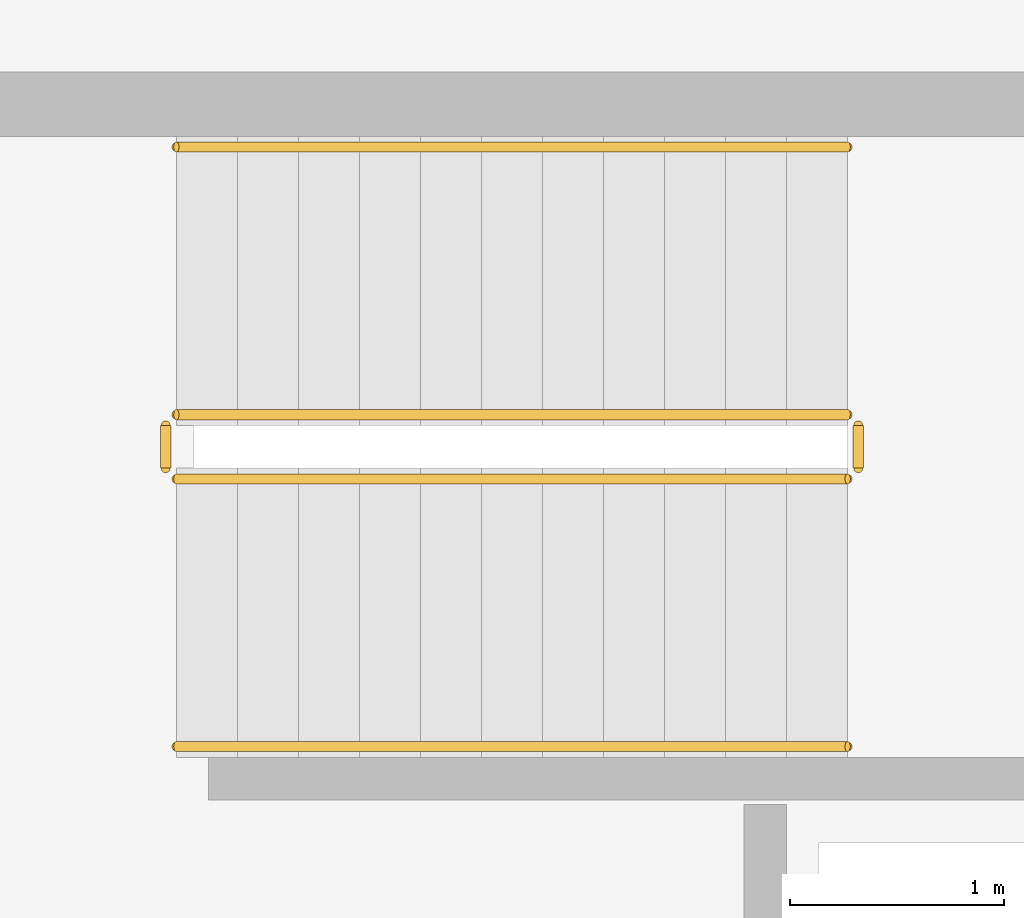
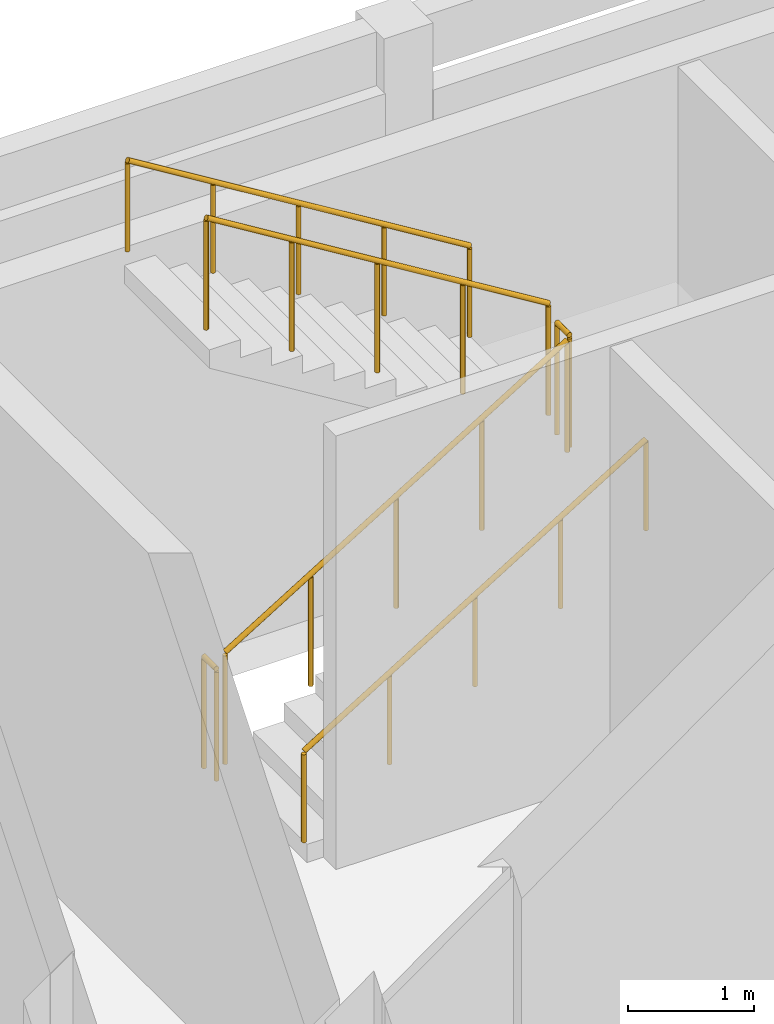
# One storey, part 66 of 68: 6 railings.
"""IFC4 building model written with IfcOpenShell, lengths in metres."""

import ifcopenshell
import ifcopenshell.guid

model = None  # the IFC model being written
_history = None  # IfcOwnerHistory: only IFC2X3 demands one
_inside = {}  # id of a spatial element -> (the spatial element, [elements in it])
_under = {}  # id of a project, library or spatial element -> (it, [spatial elements below it])
_declared = {}  # id of a project -> (the project, [libraries it declares])
_typed = {}  # id of a type object -> (the type object, [elements of that type])
_made_of = {}  # id of a material, layer set ... -> (it, [elements and type objects made of it])


def new_model(schema):
    """Start an empty IFC model of exactly this schema.

    Asked for "IFC4X3", IfcOpenShell would pick the latest addendum, in which some entities
    have other attributes; the version numbers below select the first issue.
    IFC2X3 requires an IfcOwnerHistory on every rooted entity: one is made here for all.
    """
    global model, _history
    if schema == "IFC4X3":
        model = ifcopenshell.file(schema_version=(4, 3, 0, 0))
    else:
        model = ifcopenshell.file(schema=schema)
    _inside.clear()
    _under.clear()
    _declared.clear()
    _typed.clear()
    _made_of.clear()
    _history = None
    if model.schema == "IFC2X3":
        org = make("IfcOrganization", Name="unknown")
        user = make(
            "IfcPersonAndOrganization",
            ThePerson=make("IfcPerson", FamilyName="unknown"),
            TheOrganization=org,
        )
        app = make(
            "IfcApplication",
            ApplicationDeveloper=org,
            Version="unknown",
            ApplicationFullName="unknown",
            ApplicationIdentifier="unknown",
        )
        _history = make(
            "IfcOwnerHistory",
            OwningUser=user,
            OwningApplication=app,
            ChangeAction="ADDED",
            CreationDate=0,
        )
    return model


def make(cls, **values):
    """One entity of the class cls with the attributes given. An attribute that is None is left unset."""
    return model.create_entity(
        cls, **{name: value for name, value in values.items() if value is not None}
    )


def rooted(cls, **values):
    """An entity with a GlobalId (a new one), such as an element, a storey or a relation."""
    return make(cls, GlobalId=ifcopenshell.guid.new(), OwnerHistory=_history, **values)


def si_unit(unit_type, name, prefix=None):
    """IfcSIUnit, for example si_unit("LENGTHUNIT", "METRE", prefix="MILLI")."""
    return make("IfcSIUnit", UnitType=unit_type, Prefix=prefix, Name=name)


def assignment(units):
    """IfcUnitAssignment: the units of a project."""
    return None if units is None else make("IfcUnitAssignment", Units=units)


def point(xyz):
    """IfcCartesianPoint."""
    return None if xyz is None else make("IfcCartesianPoint", Coordinates=xyz)


def direction(xyz):
    """IfcDirection."""
    return None if xyz is None else make("IfcDirection", DirectionRatios=xyz)


def frame(location, z_axis=None, x_axis=None):
    """IfcAxis2Placement3D, a coordinate frame: its origin and axes. An axis left out is left unset."""
    return make(
        "IfcAxis2Placement3D",
        Location=point(location),
        Axis=direction(z_axis),
        RefDirection=direction(x_axis),
    )


def frame_2d(location, x_axis=None):
    """IfcAxis2Placement2D, a coordinate frame in the plane: its origin and x axis."""
    return make(
        "IfcAxis2Placement2D", Location=point(location), RefDirection=direction(x_axis)
    )


def origin():
    """The frame at (0, 0, 0) with its axes left unset."""
    return frame((0.0, 0.0, 0.0))


def origin_2d():
    """The frame at (0, 0) in the plane with its x axis left unset."""
    return frame_2d((0.0, 0.0))


def place(relative_to, where):
    """IfcLocalPlacement: puts the frame where relative to a parent placement (None: the world)."""
    return make(
        "IfcLocalPlacement", PlacementRelTo=relative_to, RelativePlacement=where
    )


def context(
    kind, dimensions, precision=None, world=None, true_north=None, identifier=None
):
    """IfcGeometricRepresentationContext, for example the 3D "Model" context."""
    return make(
        "IfcGeometricRepresentationContext",
        ContextIdentifier=identifier,
        ContextType=kind,
        CoordinateSpaceDimension=dimensions,
        Precision=precision,
        WorldCoordinateSystem=world,
        TrueNorth=true_north,
    )


def subcontext(parent, identifier, kind, view, scale=None):
    """IfcGeometricRepresentationSubContext, for example "Body" below "Model"."""
    return make(
        "IfcGeometricRepresentationSubContext",
        ContextIdentifier=identifier,
        ContextType=kind,
        ParentContext=parent,
        TargetScale=scale,
        TargetView=view,
    )


def project(units=None, contexts=None):
    """IfcProject with its units and contexts."""
    return rooted(
        "IfcProject",
        Name="project",
        RepresentationContexts=contexts,
        UnitsInContext=assignment(units),
    )


def spatial(cls, under=None, at=None, **own):
    """A site, building, storey or space (cls), placed at a placement, below another one or the project."""
    s = rooted(cls, ObjectPlacement=at, **own)
    if under is not None:
        _under.setdefault(under.id(), (under, []))[1].append(s)
    return s


def profile(cls, at=None, kind="AREA", **sizes):
    """A parametric profile (cls). Its sizes go by their IFC names, for example OverallWidth=200.0."""
    return make(cls, ProfileType=kind, Position=at, **sizes)


def circle(**sizes):
    """IfcCircleProfileDef."""
    return profile("IfcCircleProfileDef", **sizes)


def extrude(swept, where, along, depth):
    """IfcExtrudedAreaSolid: the profile swept, set in the frame where, extruded along a direction by depth."""
    return make(
        "IfcExtrudedAreaSolid",
        SweptArea=swept,
        Position=where,
        ExtrudedDirection=direction(along),
        Depth=depth,
    )


def shape(context_of_items, identifier, shape_type, items):
    """IfcShapeRepresentation: the items that make up one representation, for example the "Body"."""
    return make(
        "IfcShapeRepresentation",
        ContextOfItems=context_of_items,
        RepresentationIdentifier=identifier,
        RepresentationType=shape_type,
        Items=items,
    )


def material(Name=None, Category=None):
    """IfcMaterial."""
    return make("IfcMaterial", Name=Name, Category=Category)


def made_of(thing, what):
    """Note that an element or type object is made of a material, layer set ...; save() writes the relation."""
    if what is not None:
        _made_of.setdefault(what.id(), (what, []))[1].append(thing)
    return thing


def type_object(cls, material=None, **own):
    """A type object (cls), such as IfcWallType, which elements share."""
    return made_of(rooted(cls, **own), material)


def element(
    cls,
    number,
    at=None,
    inside=None,
    cuts=None,
    type_object=None,
    material=None,
    context=None,
    identifier="Body",
    shape_type=None,
    held_by="IfcProductDefinitionShape",
    body=None,
    shapes=None,
    **own,
):
    """One element of the class cls, such as IfcWall. Its Tag is "e" and its number.

    at: its placement. inside: the storey or other place that contains it. cuts: it is an
    opening in that element (IfcRelVoidsElement). A single representation is given by context,
    identifier, shape_type and body (its items); several are given by shapes. held_by: the class
    of the entity that holds the representations. save() writes the other relations.
    """
    e = rooted(cls, Tag="e%d" % number, ObjectPlacement=at, **own)
    if body is not None:
        shapes = [shape(context, identifier, shape_type, body)]
    if shapes is not None:
        e.Representation = make(held_by, Representations=shapes)
    if inside is not None:
        _inside.setdefault(inside.id(), (inside, []))[1].append(e)
    if cuts is not None:
        rooted(
            "IfcRelVoidsElement", RelatingBuildingElement=cuts, RelatedOpeningElement=e
        )
    if type_object is not None:
        _typed.setdefault(type_object.id(), (type_object, []))[1].append(e)
    return made_of(e, material)


def aggregate(whole, parts):
    """IfcRelAggregates: a whole, such as a stair, and the parts it consists of."""
    return rooted("IfcRelAggregates", RelatingObject=whole, RelatedObjects=parts)


def save(model, path):
    """Write the relations noted so far, then the file.

    IfcRelAggregates (storeys below a building ...), IfcRelContainedInSpatialStructure (elements
    in a storey), IfcRelDefinesByType, IfcRelAssociatesMaterial and IfcRelDeclares: one each for
    every whole, place, type object, material and project.
    """
    for whole, parts in _under.values():
        aggregate(whole, parts)
    for where, things in _inside.values():
        rooted(
            "IfcRelContainedInSpatialStructure",
            RelatedElements=things,
            RelatingStructure=where,
        )
    for kind, things in _typed.values():
        rooted("IfcRelDefinesByType", RelatedObjects=things, RelatingType=kind)
    for what, things in _made_of.values():
        rooted("IfcRelAssociatesMaterial", RelatedObjects=things, RelatingMaterial=what)
    for by, libraries in _declared.values():
        rooted("IfcRelDeclares", RelatingContext=by, RelatedDefinitions=libraries)
    model.write(path)


model = new_model("IFC4")

# Units and contexts
model_context = context("Model", 3, precision=1e-05, world=origin(), true_north=direction((0.0, 1.0)))
body_context = subcontext(model_context, "Body", "Model", "MODEL_VIEW")
ifc_project = project(units=[si_unit("LENGTHUNIT", "METRE"), si_unit("AREAUNIT", "SQUARE_METRE"), si_unit("VOLUMEUNIT", "CUBIC_METRE"), si_unit("PLANEANGLEUNIT", "RADIAN"), si_unit("MASSUNIT", "GRAM", prefix="KILO")], contexts=[model_context])

# Site, building, storey
site_placement = place(None, origin())
site = spatial("IfcSite", under=ifc_project, at=site_placement, CompositionType="ELEMENT")
building_placement = place(site_placement, origin())
building = spatial("IfcBuilding", under=site, at=building_placement, Name="Bramvelor Terrace Health Centre", CompositionType="ELEMENT")
storey_placement = place(building_placement, frame((0.0, 0.0, 9.300048828125)))
storey = spatial("IfcBuildingStorey", under=building, at=storey_placement, Name="L03", CompositionType="ELEMENT", Elevation=9.300048828125)

# Railings
ifc_material_1 = material(Name="Painted galvanized steel", Category="steel")
railing_type_1 = type_object("IfcRailingType", Name="RLG-GD-1100", PredefinedType="GUARDRAIL", material=ifc_material_1)
railing_1_placement = place(storey_placement, frame((3.60009765625, 111.64990234375, 0.175048828125)))
element("IfcRailing", 1, at=railing_1_placement, inside=storey, type_object=railing_type_1, Name="L03 ST-1 stair guard 1", PredefinedType="GUARDRAIL", context=body_context, shape_type="SweptSolid", body=[
    extrude(circle(Radius=0.02392578125, at=origin_2d()), frame((0.0, 0.0, 1.076171875), z_axis=(0.852195625947, 0.0, 0.523223293744), x_axis=(0.0, 1.0, 0.0)), (0.0, 0.0, 1.0), 3.6787109375),
    extrude(circle(Radius=0.02099609375, at=origin_2d()), origin(), (0.0, 0.0, 1.0), 1.052001953125),
    extrude(circle(Radius=0.02099609375, at=origin_2d()), frame((0.78369140625, 0.0, 0.481201171875)), (0.0, 0.0, 1.0), 1.052001953125),
    extrude(circle(Radius=0.02099609375, at=origin_2d()), frame((1.5673828125, 0.0, 0.96240234375)), (0.0, 0.0, 1.0), 1.052001953125),
    extrude(circle(Radius=0.02099609375, at=origin_2d()), frame((2.351318359375, 0.0, 1.443603515625)), (0.0, 0.0, 1.0), 1.052001953125),
    extrude(circle(Radius=0.02099609375, at=origin_2d()), frame((3.135009765625, 0.0, 1.9248046875)), (0.0, 0.0, 1.0), 1.052001953125),
])
railing_2_placement = place(storey_placement, frame((6.784912109375, 111.699951171875, 2.099853515625)))
element("IfcRailing", 2, at=railing_2_placement, inside=storey, type_object=railing_type_1, Name="L03 ST-1 stair guard 2", PredefinedType="GUARDRAIL", context=body_context, shape_type="SweptSolid", body=[
    extrude(circle(Radius=0.02392578125, at=origin_2d()), frame((0.0, 0.0, 1.076171875), z_axis=(0.0, 1.0, 0.0), x_axis=(-1.0, 0.0, 0.0)), (0.0, 0.0, 1.0), 0.199951171875),
    extrude(circle(Radius=0.02099609375, at=origin_2d()), origin(), (0.0, 0.0, 1.0), 1.052001953125),
    extrude(circle(Radius=0.02099609375, at=origin_2d()), frame((0.0, 0.199951171875, 0.0)), (0.0, 0.0, 1.0), 1.052001953125),
])
railing_3_placement = place(storey_placement, frame((6.735107421875, 111.949951171875, 2.27490234375)))
element("IfcRailing", 3, at=railing_3_placement, inside=storey, type_object=railing_type_1, Name="L03 ST-1 stair guard 3", PredefinedType="GUARDRAIL", context=body_context, shape_type="SweptSolid", body=[
    extrude(circle(Radius=0.02392578125, at=origin_2d()), frame((0.0, 0.0, 1.076171875), z_axis=(-0.852166034122, 0.0, 0.523271488128), x_axis=(0.0, -1.0, 0.0)), (0.0, 0.0, 1.0), 3.678955078125),
    extrude(circle(Radius=0.02099609375, at=origin_2d()), origin(), (0.0, 0.0, 1.0), 1.052001953125),
    extrude(circle(Radius=0.02099609375, at=origin_2d()), frame((-0.78369140625, 0.0, 0.481201171875)), (0.0, 0.0, 1.0), 1.052001953125),
    extrude(circle(Radius=0.02099609375, at=origin_2d()), frame((-1.5673828125, 0.0, 0.96240234375)), (0.0, 0.0, 1.0), 1.052001953125),
    extrude(circle(Radius=0.02099609375, at=origin_2d()), frame((-2.351318359375, 0.0, 1.44384765625)), (0.0, 0.0, 1.0), 1.052001953125),
    extrude(circle(Radius=0.02099609375, at=origin_2d()), frame((-3.135009765625, 0.0, 1.925048828125)), (0.0, 0.0, 1.0), 1.052001953125),
])
railing_4_placement = place(storey_placement, frame((3.550048828125, 111.699951171875, 0.0)))
element("IfcRailing", 4, at=railing_4_placement, inside=storey, type_object=railing_type_1, Name="L03 ST-1 stair guard 4", PredefinedType="GUARDRAIL", context=body_context, shape_type="SweptSolid", body=[
    extrude(circle(Radius=0.02392578125, at=origin_2d()), frame((0.0, 0.0, 1.076171875), z_axis=(0.0, 1.0, 0.0), x_axis=(-1.0, 0.0, 0.0)), (0.0, 0.0, 1.0), 0.199951171875),
    extrude(circle(Radius=0.02099609375, at=origin_2d()), origin(), (0.0, 0.0, 1.0), 1.052001953125),
    extrude(circle(Radius=0.02099609375, at=origin_2d()), frame((0.0, 0.199951171875, 0.0)), (0.0, 0.0, 1.0), 1.052001953125),
])
ifc_material_2 = material(Name="Brushed stainless steel 316", Category="steel")
railing_type_2 = type_object("IfcRailingType", Name="RLG-HR-900", PredefinedType="HANDRAIL", material=ifc_material_2)
railing_5_placement = place(storey_placement, frame((3.60009765625, 110.39990234375, 0.175048828125)))
element("IfcRailing", 5, at=railing_5_placement, inside=storey, type_object=railing_type_2, Name="L03 ST-1 stair handrail 1", PredefinedType="HANDRAIL", context=body_context, shape_type="SweptSolid", body=[
    extrude(circle(Radius=0.02392578125, at=origin_2d()), frame((0.0, 0.0, 0.8759765625), z_axis=(0.852195625947, 0.0, 0.523223293744), x_axis=(0.0, 1.0, 0.0)), (0.0, 0.0, 1.0), 3.6787109375),
    extrude(circle(Radius=0.02099609375, at=origin_2d()), origin(), (0.0, 0.0, 1.0), 0.851806640625),
    extrude(circle(Radius=0.02099609375, at=origin_2d()), frame((0.78369140625, 0.0, 0.481201171875)), (0.0, 0.0, 1.0), 0.851806640625),
    extrude(circle(Radius=0.02099609375, at=origin_2d()), frame((1.5673828125, 0.0, 0.96240234375)), (0.0, 0.0, 1.0), 0.851806640625),
    extrude(circle(Radius=0.02099609375, at=origin_2d()), frame((2.351318359375, 0.0, 1.443603515625)), (0.0, 0.0, 1.0), 0.851806640625),
    extrude(circle(Radius=0.02099609375, at=origin_2d()), frame((3.135009765625, 0.0, 1.9248046875)), (0.0, 0.0, 1.0), 0.851806640625),
])
railing_6_placement = place(storey_placement, frame((6.735107421875, 113.199951171875, 2.27490234375)))
element("IfcRailing", 6, at=railing_6_placement, inside=storey, type_object=railing_type_2, Name="L03 ST-1 stair handrail 2", PredefinedType="HANDRAIL", context=body_context, shape_type="SweptSolid", body=[
    extrude(circle(Radius=0.02392578125, at=origin_2d()), frame((0.0, 0.0, 0.8759765625), z_axis=(-0.852166034122, 0.0, 0.523271488128), x_axis=(0.0, -1.0, 0.0)), (0.0, 0.0, 1.0), 3.678955078125),
    extrude(circle(Radius=0.02099609375, at=origin_2d()), origin(), (0.0, 0.0, 1.0), 0.851806640625),
    extrude(circle(Radius=0.02099609375, at=origin_2d()), frame((-0.78369140625, 0.0, 0.481201171875)), (0.0, 0.0, 1.0), 0.851806640625),
    extrude(circle(Radius=0.02099609375, at=origin_2d()), frame((-1.5673828125, 0.0, 0.96240234375)), (0.0, 0.0, 1.0), 0.851806640625),
    extrude(circle(Radius=0.02099609375, at=origin_2d()), frame((-2.351318359375, 0.0, 1.44384765625)), (0.0, 0.0, 1.0), 0.851806640625),
    extrude(circle(Radius=0.02099609375, at=origin_2d()), frame((-3.135009765625, 0.0, 1.925048828125)), (0.0, 0.0, 1.0), 0.851806640625),
])

save(model, "model.ifc")
